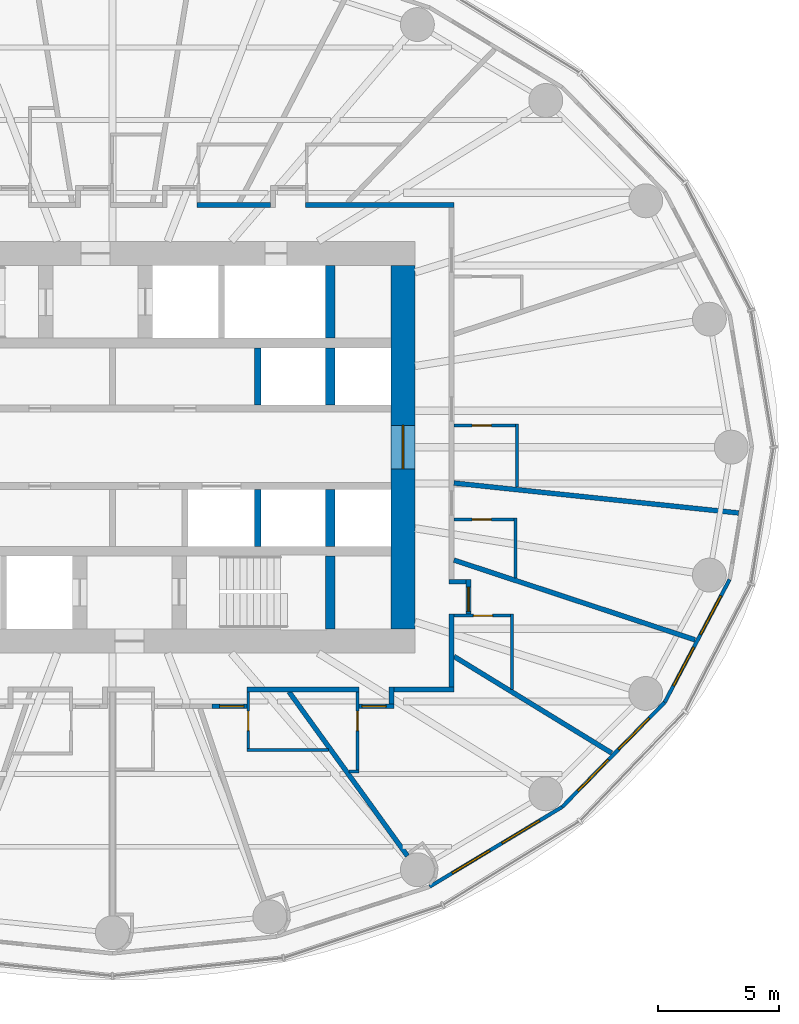
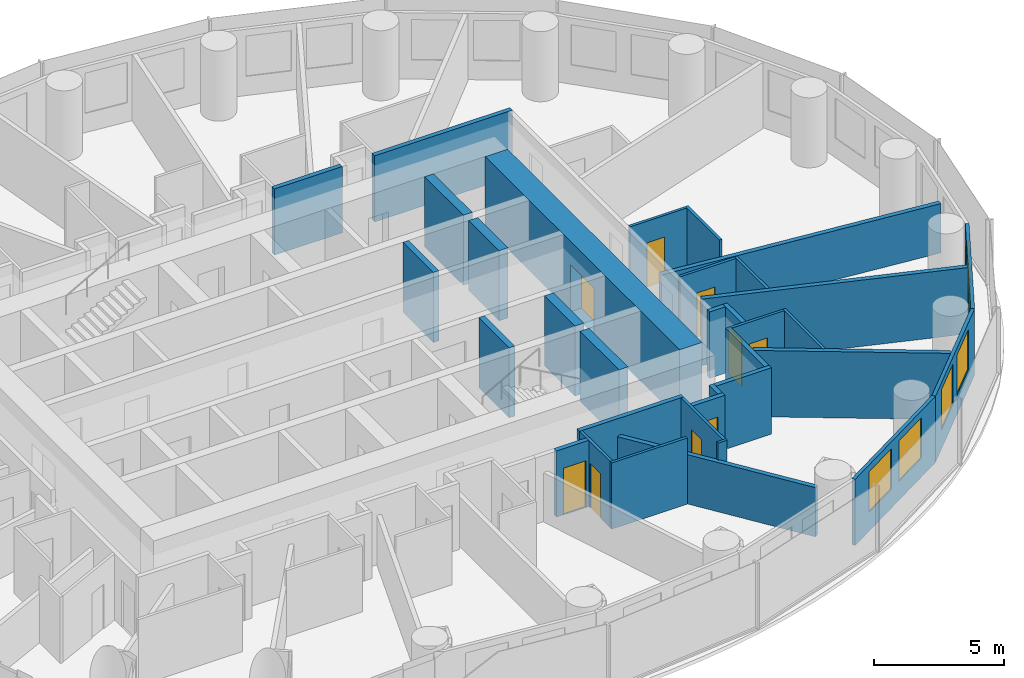
# One storey, part 10 of 14: 34 walls, 9 doors, 6 windows, 15 openings.
"""IFC4 building model written with IfcOpenShell, lengths in metres."""

from ifc_helpers import new_model, si_unit, direction, frame, frame_2d, origin, place, context, subcontext, project, spatial, rectangle, extrude, material, layer, layer_set, type_object, element, fill, save


model = new_model("IFC4")

# Units and contexts
model_context = context("Model", 3, precision=1e-05, world=origin(), true_north=direction((0.0, 1.0)))
body_context = subcontext(model_context, "Body", "Model", "MODEL_VIEW")
ifc_project = project(units=[si_unit("LENGTHUNIT", "METRE"), si_unit("AREAUNIT", "SQUARE_METRE"), si_unit("VOLUMEUNIT", "CUBIC_METRE"), si_unit("PLANEANGLEUNIT", "RADIAN"), si_unit("MASSUNIT", "GRAM", prefix="KILO")], contexts=[model_context])

# Site, building, storey
site_placement = place(None, origin())
site = spatial("IfcSite", under=ifc_project, at=site_placement, CompositionType="ELEMENT")
building_placement = place(site_placement, origin())
building = spatial("IfcBuilding", under=site, at=building_placement, Name="Hankou Lantern Tower", CompositionType="ELEMENT")
storey_placement = place(building_placement, frame((0.0, 0.0, 54.0)))
storey = spatial("IfcBuildingStorey", under=building, at=storey_placement, Name="L12", CompositionType="ELEMENT", Elevation=54.0)

# Wall, opening, door
ifc_material_1 = material(Name="Concrete C60", Category="concrete")
ifc_layer_1 = layer(ifc_material_1, 1.0)
ifc_layer_set_1 = layer_set([ifc_layer_1], Name="Concrete C60")
wall_type_1 = type_object("IfcWallType", Name="CW1 CORE WALL 1000", PredefinedType="SHEAR", material=ifc_layer_set_1)
wall_1_placement = place(storey_placement, frame((12.0, -7.5, 0.0), z_axis=(0.0, 0.0, 1.0), x_axis=(0.0, 1.0, 0.0)))
wall_1 = element("IfcWall", 1, at=wall_1_placement, inside=storey, type_object=wall_type_1, Name="Core wall east L12", PredefinedType="SHEAR", context=body_context, shape_type="SweptSolid", body=[
    extrude(rectangle(XDim=15.0, YDim=1.0, at=frame_2d((7.5, 0.0))), origin(), (0.0, 0.0, 1.0), 3.300048828125),
])
opening_1_placement = place(wall_1_placement, frame((6.60009765625, 0.0, 0.0)))
opening_1 = element("IfcOpeningElement", 2, at=opening_1_placement, cuts=wall_1, Name="Opening D6", PredefinedType="OPENING", context=body_context, shape_type="SweptSolid", body=[
    extrude(rectangle(XDim=1.800048828125, YDim=2.199951171875, at=frame_2d((0.89990234375, 1.10009765625))), frame((0.0, 0.510009765625, 0.0), z_axis=(0.0, -1.0, 0.0), x_axis=(1.0, 0.0, 0.0)), (0.0, 0.0, 1.0), 1.02001953125),
])
ifc_material_2 = material(Name="Steel door leaf", Category="steel")
door_type_1 = type_object("IfcDoorType", Name="D6 LIFT LOBBY DOOR 1800X2200", OperationType="DOUBLE_DOOR_DOUBLE_SWING", PredefinedType="DOOR", material=ifc_material_2)
door_1_placement = place(opening_1_placement, origin())
door_1 = element("IfcDoor", 3, at=door_1_placement, inside=storey, type_object=door_type_1, Name="Lift lobby east door", OperationType="DOUBLE_DOOR_DOUBLE_SWING", OverallHeight=2.199951171875, OverallWidth=1.800048828125, PredefinedType="DOOR", context=body_context, shape_type="SweptSolid", body=[
    extrude(rectangle(XDim=1.800048828125, YDim=2.199951171875, at=frame_2d((0.89990234375, 1.10009765625))), frame((0.0, 0.02490234375, 0.0), z_axis=(0.0, -1.0, 0.0), x_axis=(1.0, 0.0, 0.0)), (0.0, 0.0, 1.0), 0.050048828125),
])
fill(opening_1, door_1)

# Walls
ifc_material_3 = material(Name="Concrete C60", Category="concrete")
ifc_layer_2 = layer(ifc_material_3, 0.39990234375)
ifc_layer_set_2 = layer_set([ifc_layer_2], Name="Concrete C60")
wall_type_2 = type_object("IfcWallType", Name="CW4 CORE CROSS WALL 400", PredefinedType="SHEAR", material=ifc_layer_set_2)
wall_2_placement = place(storey_placement, frame((9.0, 4.5, 0.0), z_axis=(0.0, 0.0, 1.0), x_axis=(0.0, 1.0, 0.0)))
element("IfcWall", 4, at=wall_2_placement, inside=storey, type_object=wall_type_2, Name="Core strip wall L12", PredefinedType="SHEAR", context=body_context, shape_type="SweptSolid", body=[
    extrude(rectangle(XDim=3.0, YDim=0.39990234375, at=frame_2d((1.5, 0.0))), origin(), (0.0, 0.0, 1.0), 3.300048828125),
])
for number, where, z_axis, x_axis, name in (
    (5, (9.0, 1.75, 0.0), (0.0, 0.0, 1.0), (0.0, 1.0, 0.0), "Core strip wall L12"),
    (6, (9.0, -4.10009765625, 0.0), (0.0, 0.0, 1.0), (0.0, 1.0, 0.0), "Core strip wall L12"),
):
    element("IfcWall", number, at=place(storey_placement, frame(where, z_axis=z_axis, x_axis=x_axis)), inside=storey, type_object=wall_type_2, Name=name, PredefinedType="SHEAR", context=body_context, shape_type="SweptSolid", body=[
        extrude(rectangle(XDim=2.35009765625, YDim=0.39990234375, at=frame_2d((1.175048828125, 0.0))), origin(), (0.0, 0.0, 1.0), 3.300048828125),
    ])
wall_3_placement = place(storey_placement, frame((9.0, -7.5, 0.0), z_axis=(0.0, 0.0, 1.0), x_axis=(0.0, 1.0, 0.0)))
element("IfcWall", 7, at=wall_3_placement, inside=storey, type_object=wall_type_2, Name="Core strip wall L12", PredefinedType="SHEAR", context=body_context, shape_type="SweptSolid", body=[
    extrude(rectangle(XDim=3.0, YDim=0.39990234375, at=frame_2d((1.5, 0.0))), origin(), (0.0, 0.0, 1.0), 3.300048828125),
])

# Wall, openings, windows
ifc_material_4 = material(Name="Aluminium spandrel panel on steel studs", Category="steel")
ifc_layer_3 = layer(ifc_material_4, 0.14990234375)
ifc_layer_set_3 = layer_set([ifc_layer_3], Name="Aluminium spandrel panel on steel studs")
wall_type_3 = type_object("IfcWallType", Name="EW1 INNER SKIN WALL 150", PredefinedType="ELEMENTEDWALL", material=ifc_layer_set_3)
wall_4_placement = place(storey_placement, frame((13.096435546875, -18.14697265625, 0.0), z_axis=(0.0, 0.0, 1.0), x_axis=(0.856983180864, 0.515344377787, 0.0)))
wall_4 = element("IfcWall", 8, at=wall_4_placement, inside=storey, type_object=wall_type_3, Name="Inner skin R21-R22 L12", PredefinedType="ELEMENTEDWALL", context=body_context, shape_type="SweptSolid", body=[
    extrude(rectangle(XDim=6.386474609375, YDim=0.14990234375, at=frame_2d((3.193359375, 0.0))), origin(), (0.0, 0.0, 1.0), 3.1201171875),
])
opening_2_placement = place(wall_4_placement, frame((1.09326171875, 0.0, 0.89990234375)))
opening_2 = element("IfcOpeningElement", 9, at=opening_2_placement, cuts=wall_4, Name="Opening W1", PredefinedType="OPENING", context=body_context, shape_type="SweptSolid", body=[
    extrude(rectangle(XDim=1.800048828125, YDim=1.89990234375, at=frame_2d((0.89990234375, 0.949951171875))), frame((0.0, 0.0849609375, 0.0), z_axis=(0.0, -1.0, 0.0), x_axis=(1.0, 0.0, 0.0)), (0.0, 0.0, 1.0), 0.169921875),
])
opening_3_placement = place(wall_4_placement, frame((3.4931640625, 0.0, 0.89990234375)))
opening_3 = element("IfcOpeningElement", 10, at=opening_3_placement, cuts=wall_4, Name="Opening W1", PredefinedType="OPENING", context=body_context, shape_type="SweptSolid", body=[
    extrude(rectangle(XDim=1.800048828125, YDim=1.89990234375, at=frame_2d((0.89990234375, 0.949951171875))), frame((0.0, 0.0849609375, 0.0), z_axis=(0.0, -1.0, 0.0), x_axis=(1.0, 0.0, 0.0)), (0.0, 0.0, 1.0), 0.169921875),
])
ifc_material_5 = material(Name="Aluminium framed double glazed window", Category="aluminium")
window_type = type_object("IfcWindowType", Name="W1 GUEST ROOM WINDOW 1800X1900", PartitioningType="DOUBLE_PANEL_VERTICAL", PredefinedType="WINDOW", material=ifc_material_5)
window_1_placement = place(opening_2_placement, origin())
window_1 = element("IfcWindow", 11, at=window_1_placement, inside=storey, type_object=window_type, Name="Window R21.1 L12", OverallHeight=1.89990234375, OverallWidth=1.800048828125, PartitioningType="SINGLE_PANEL", PredefinedType="WINDOW", context=body_context, shape_type="SweptSolid", body=[
    extrude(rectangle(XDim=1.800048828125, YDim=1.89990234375, at=frame_2d((0.89990234375, 0.949951171875))), frame((0.0, 0.030029296875, 0.0), z_axis=(0.0, -1.0, 0.0), x_axis=(1.0, 0.0, 0.0)), (0.0, 0.0, 1.0), 0.06005859375),
])
fill(opening_2, window_1)
window_2_placement = place(opening_3_placement, origin())
window_2 = element("IfcWindow", 12, at=window_2_placement, inside=storey, type_object=window_type, Name="Window R21.2 L12", OverallHeight=1.89990234375, OverallWidth=1.800048828125, PartitioningType="SINGLE_PANEL", PredefinedType="WINDOW", context=body_context, shape_type="SweptSolid", body=[
    extrude(rectangle(XDim=1.800048828125, YDim=1.89990234375, at=frame_2d((0.89990234375, 0.949951171875))), frame((0.0, 0.030029296875, 0.0), z_axis=(0.0, -1.0, 0.0), x_axis=(1.0, 0.0, 0.0)), (0.0, 0.0, 1.0), 0.06005859375),
])
fill(opening_3, window_2)

wall_5_placement = place(storey_placement, frame((18.569580078125, -14.855712890625, 0.0), z_axis=(0.0, 0.0, 1.0), x_axis=(0.699602905915, 0.714531856557, 0.0)))
wall_5 = element("IfcWall", 13, at=wall_5_placement, inside=storey, type_object=wall_type_3, Name="Inner skin R22-R23 L12", PredefinedType="ELEMENTEDWALL", context=body_context, shape_type="SweptSolid", body=[
    extrude(rectangle(XDim=6.05078125, YDim=0.14990234375, at=frame_2d((3.025390625, 0.0))), origin(), (0.0, 0.0, 1.0), 3.1201171875),
])
opening_4_placement = place(wall_5_placement, frame((0.925537109375, 0.0, 0.89990234375)))
opening_4 = element("IfcOpeningElement", 14, at=opening_4_placement, cuts=wall_5, Name="Opening W1", PredefinedType="OPENING", context=body_context, shape_type="SweptSolid", body=[
    extrude(rectangle(XDim=1.800048828125, YDim=1.89990234375, at=frame_2d((0.89990234375, 0.949951171875))), frame((0.0, 0.0849609375, 0.0), z_axis=(0.0, -1.0, 0.0), x_axis=(1.0, 0.0, 0.0)), (0.0, 0.0, 1.0), 0.169921875),
])
opening_5_placement = place(wall_5_placement, frame((3.325439453125, 0.0, 0.89990234375)))
opening_5 = element("IfcOpeningElement", 15, at=opening_5_placement, cuts=wall_5, Name="Opening W1", PredefinedType="OPENING", context=body_context, shape_type="SweptSolid", body=[
    extrude(rectangle(XDim=1.800048828125, YDim=1.89990234375, at=frame_2d((0.89990234375, 0.949951171875))), frame((0.0, 0.0849609375, 0.0), z_axis=(0.0, -1.0, 0.0), x_axis=(1.0, 0.0, 0.0)), (0.0, 0.0, 1.0), 0.169921875),
])
window_3_placement = place(opening_4_placement, origin())
window_3 = element("IfcWindow", 16, at=window_3_placement, inside=storey, type_object=window_type, Name="Window R22.1 L12", OverallHeight=1.89990234375, OverallWidth=1.800048828125, PartitioningType="SINGLE_PANEL", PredefinedType="WINDOW", context=body_context, shape_type="SweptSolid", body=[
    extrude(rectangle(XDim=1.800048828125, YDim=1.89990234375, at=frame_2d((0.89990234375, 0.949951171875))), frame((0.0, 0.030029296875, 0.0), z_axis=(0.0, -1.0, 0.0), x_axis=(1.0, 0.0, 0.0)), (0.0, 0.0, 1.0), 0.06005859375),
])
fill(opening_4, window_3)
window_4_placement = place(opening_5_placement, origin())
window_4 = element("IfcWindow", 17, at=window_4_placement, inside=storey, type_object=window_type, Name="Window R22.2 L12", OverallHeight=1.89990234375, OverallWidth=1.800048828125, PartitioningType="SINGLE_PANEL", PredefinedType="WINDOW", context=body_context, shape_type="SweptSolid", body=[
    extrude(rectangle(XDim=1.800048828125, YDim=1.89990234375, at=frame_2d((0.89990234375, 0.949951171875))), frame((0.0, 0.030029296875, 0.0), z_axis=(0.0, -1.0, 0.0), x_axis=(1.0, 0.0, 0.0)), (0.0, 0.0, 1.0), 0.06005859375),
])
fill(opening_5, window_4)

wall_6_placement = place(storey_placement, frame((22.802734375, -10.5322265625, 0.0), z_axis=(0.0, 0.0, 1.0), x_axis=(0.467296867008, 0.884100468321, 0.0)))
wall_6 = element("IfcWall", 18, at=wall_6_placement, inside=storey, type_object=wall_type_3, Name="Inner skin R23-R24 L12", PredefinedType="ELEMENTEDWALL", context=body_context, shape_type="SweptSolid", body=[
    extrude(rectangle(XDim=5.734375, YDim=0.14990234375, at=frame_2d((2.8671875, 0.0))), origin(), (0.0, 0.0, 1.0), 3.1201171875),
])
opening_6_placement = place(wall_6_placement, frame((0.76708984375, 0.0, 0.89990234375)))
opening_6 = element("IfcOpeningElement", 19, at=opening_6_placement, cuts=wall_6, Name="Opening W1", PredefinedType="OPENING", context=body_context, shape_type="SweptSolid", body=[
    extrude(rectangle(XDim=1.800048828125, YDim=1.89990234375, at=frame_2d((0.89990234375, 0.949951171875))), frame((0.0, 0.0849609375, 0.0), z_axis=(0.0, -1.0, 0.0), x_axis=(1.0, 0.0, 0.0)), (0.0, 0.0, 1.0), 0.169921875),
])
opening_7_placement = place(wall_6_placement, frame((3.167236328125, 0.0, 0.89990234375)))
opening_7 = element("IfcOpeningElement", 20, at=opening_7_placement, cuts=wall_6, Name="Opening W1", PredefinedType="OPENING", context=body_context, shape_type="SweptSolid", body=[
    extrude(rectangle(XDim=1.800048828125, YDim=1.89990234375, at=frame_2d((0.89990234375, 0.949951171875))), frame((0.0, 0.0849609375, 0.0), z_axis=(0.0, -1.0, 0.0), x_axis=(1.0, 0.0, 0.0)), (0.0, 0.0, 1.0), 0.169921875),
])
window_5_placement = place(opening_6_placement, origin())
window_5 = element("IfcWindow", 21, at=window_5_placement, inside=storey, type_object=window_type, Name="Window R23.1 L12", OverallHeight=1.89990234375, OverallWidth=1.800048828125, PartitioningType="SINGLE_PANEL", PredefinedType="WINDOW", context=body_context, shape_type="SweptSolid", body=[
    extrude(rectangle(XDim=1.800048828125, YDim=1.89990234375, at=frame_2d((0.89990234375, 0.949951171875))), frame((0.0, 0.030029296875, 0.0), z_axis=(0.0, -1.0, 0.0), x_axis=(1.0, 0.0, 0.0)), (0.0, 0.0, 1.0), 0.06005859375),
])
fill(opening_6, window_5)
window_6_placement = place(opening_7_placement, origin())
window_6 = element("IfcWindow", 22, at=window_6_placement, inside=storey, type_object=window_type, Name="Window R23.2 L12", OverallHeight=1.89990234375, OverallWidth=1.800048828125, PartitioningType="SINGLE_PANEL", PredefinedType="WINDOW", context=body_context, shape_type="SweptSolid", body=[
    extrude(rectangle(XDim=1.800048828125, YDim=1.89990234375, at=frame_2d((0.89990234375, 0.949951171875))), frame((0.0, 0.030029296875, 0.0), z_axis=(0.0, -1.0, 0.0), x_axis=(1.0, 0.0, 0.0)), (0.0, 0.0, 1.0), 0.06005859375),
])
fill(opening_7, window_6)

# Walls
ifc_material_6 = material(Name="Masonry lightweight concrete block", Category="masonry")
ifc_layer_4 = layer(ifc_material_6, 0.199951171875)
ifc_layer_set_4 = layer_set([ifc_layer_4], Name="Masonry lightweight concrete block")
wall_type_4 = type_object("IfcWallType", Name="IW1 GUEST ROOM PARTY WALL 200", PredefinedType="PARTITIONING", material=ifc_layer_set_4)
wall_7_placement = place(storey_placement, frame((7.2890625, -10.10009765625, 0.0), z_axis=(0.0, 0.0, 1.0), x_axis=(0.585198353053, -0.810890182197, 0.0)))
element("IfcWall", 23, at=wall_7_placement, inside=storey, type_object=wall_type_4, Name="Party wall R21", PredefinedType="PARTITIONING", context=body_context, shape_type="SweptSolid", body=[
    extrude(rectangle(XDim=8.359619140625, YDim=0.199951171875, at=frame_2d((4.1796875, 0.0))), origin(), (0.0, 0.0, 1.0), 2.320068359375),
])
wall_8_placement = place(storey_placement, frame((14.10009765625, -8.638916015625, 0.0), z_axis=(0.0, 0.0, 1.0), x_axis=(0.852672493023, -0.522445805459, 0.0)))
element("IfcWall", 24, at=wall_8_placement, inside=storey, type_object=wall_type_4, Name="Party wall R22-R23", PredefinedType="PARTITIONING", context=body_context, shape_type="SweptSolid", body=[
    extrude(rectangle(XDim=7.63330078125, YDim=0.199951171875, at=frame_2d((3.816650390625, 0.0))), origin(), (0.0, 0.0, 1.0), 3.1201171875),
])
wall_9_placement = place(storey_placement, frame((14.10009765625, -4.6630859375, 0.0), z_axis=(0.0, 0.0, 1.0), x_axis=(0.949432655039, -0.31397075269, 0.0)))
element("IfcWall", 25, at=wall_9_placement, inside=storey, type_object=wall_type_4, Name="Party wall R23-R24", PredefinedType="PARTITIONING", context=body_context, shape_type="SweptSolid", body=[
    extrude(rectangle(XDim=10.48583984375, YDim=0.199951171875, at=frame_2d((5.242919921875, 0.0))), origin(), (0.0, 0.0, 1.0), 3.1201171875),
])
wall_10_placement = place(storey_placement, frame((14.10009765625, -1.48193359375, 0.0), z_axis=(0.0, 0.0, 1.0), x_axis=(0.994522076235, -0.104526742422, 0.0)))
element("IfcWall", 26, at=wall_10_placement, inside=storey, type_object=wall_type_4, Name="Party wall R24-R01", PredefinedType="PARTITIONING", context=body_context, shape_type="SweptSolid", body=[
    extrude(rectangle(XDim=11.82080078125, YDim=0.199951171875, at=frame_2d((5.910400390625, 0.0))), origin(), (0.0, 0.0, 1.0), 2.320068359375),
])

# Wall, opening, door
ifc_material_7 = material(Name="Masonry lightweight concrete block", Category="masonry")
ifc_layer_5 = layer(ifc_material_7, 0.199951171875)
ifc_layer_set_5 = layer_set([ifc_layer_5], Name="Masonry lightweight concrete block")
wall_type_5 = type_object("IfcWallType", Name="IW2 CORRIDOR WALL 200", PredefinedType="PARTITIONING", material=ifc_layer_set_5)
wall_11_placement = place(storey_placement, frame((5.549072265625, -10.699951171875, 0.0), z_axis=(0.0, 0.0, 1.0), x_axis=(-1.0, 0.0, 0.0)))
wall_11 = element("IfcWall", 27, at=wall_11_placement, inside=storey, type_object=wall_type_5, Name="Corridor recess wall 1216 back", PredefinedType="PARTITIONING", context=body_context, shape_type="SweptSolid", body=[
    extrude(rectangle(XDim=1.43994140625, YDim=0.199951171875, at=frame_2d((0.719970703125, 0.0))), origin(), (0.0, 0.0, 1.0), 3.1201171875),
])
opening_8_placement = place(wall_11_placement, frame((0.1201171875, 0.0, 0.0)))
opening_8 = element("IfcOpeningElement", 28, at=opening_8_placement, cuts=wall_11, Name="Opening D1", PredefinedType="OPENING", context=body_context, shape_type="SweptSolid", body=[
    extrude(rectangle(XDim=1.0, YDim=2.199951171875, at=frame_2d((0.5, 1.10009765625))), frame((0.0, 0.10986328125, 0.0), z_axis=(0.0, -1.0, 0.0), x_axis=(1.0, 0.0, 0.0)), (0.0, 0.0, 1.0), 0.219970703125),
])
ifc_material_8 = material(Name="Steel door leaf", Category="steel")
door_type_2 = type_object("IfcDoorType", Name="D1 GUEST ROOM DOOR 1000X2200", OperationType="SINGLE_SWING_LEFT", PredefinedType="DOOR", material=ifc_material_8)
door_2_placement = place(opening_8_placement, origin())
door_2 = element("IfcDoor", 29, at=door_2_placement, inside=storey, type_object=door_type_2, Name="Guest room door 1216", OperationType="SINGLE_SWING_LEFT", OverallHeight=2.199951171875, OverallWidth=1.0, PredefinedType="DOOR", context=body_context, shape_type="SweptSolid", body=[
    extrude(rectangle(XDim=1.0, YDim=2.199951171875, at=frame_2d((0.5, 1.10009765625))), frame((0.0, 0.02490234375, 0.0), z_axis=(0.0, -1.0, 0.0), x_axis=(1.0, 0.0, 0.0)), (0.0, 0.0, 1.0), 0.050048828125),
])
fill(opening_8, door_2)

wall_12_placement = place(storey_placement, frame((11.619140625, -10.699951171875, 0.0), z_axis=(0.0, 0.0, 1.0), x_axis=(-1.0, 0.0, 0.0)))
wall_12 = element("IfcWall", 30, at=wall_12_placement, inside=storey, type_object=wall_type_5, Name="Corridor recess wall 1217 back", PredefinedType="PARTITIONING", context=body_context, shape_type="SweptSolid", body=[
    extrude(rectangle(XDim=1.440185546875, YDim=0.199951171875, at=frame_2d((0.72021484375, 0.0))), origin(), (0.0, 0.0, 1.0), 3.1201171875),
])
opening_9_placement = place(wall_12_placement, frame((0.320068359375, 0.0, 0.0)))
opening_9 = element("IfcOpeningElement", 31, at=opening_9_placement, cuts=wall_12, Name="Opening D1", PredefinedType="OPENING", context=body_context, shape_type="SweptSolid", body=[
    extrude(rectangle(XDim=1.0, YDim=2.199951171875, at=frame_2d((0.5, 1.10009765625))), frame((0.0, 0.10986328125, 0.0), z_axis=(0.0, -1.0, 0.0), x_axis=(1.0, 0.0, 0.0)), (0.0, 0.0, 1.0), 0.219970703125),
])
door_3_placement = place(opening_9_placement, origin())
door_3 = element("IfcDoor", 32, at=door_3_placement, inside=storey, type_object=door_type_2, Name="Guest room door 1217", OperationType="SINGLE_SWING_RIGHT", OverallHeight=2.199951171875, OverallWidth=1.0, PredefinedType="DOOR", context=body_context, shape_type="SweptSolid", body=[
    extrude(rectangle(XDim=1.0, YDim=2.199951171875, at=frame_2d((0.5, 1.10009765625))), frame((0.0, 0.02490234375, 0.0), z_axis=(0.0, -1.0, 0.0), x_axis=(1.0, 0.0, 0.0)), (0.0, 0.0, 1.0), 0.050048828125),
])
fill(opening_9, door_3)

# Wall
wall_13_placement = place(storey_placement, frame((11.51904296875, -9.89990234375, 0.0), z_axis=(0.0, 0.0, 1.0), x_axis=(0.0, -1.0, 0.0)))
element("IfcWall", 33, at=wall_13_placement, inside=storey, type_object=wall_type_5, Name="Corridor recess wall 1217 side", PredefinedType="PARTITIONING", context=body_context, shape_type="SweptSolid", body=[
    extrude(rectangle(XDim=0.7001953125, YDim=0.199951171875, at=frame_2d((0.35009765625, 0.0))), origin(), (0.0, 0.0, 1.0), 3.1201171875),
])

# Wall, opening, door
wall_14_placement = place(storey_placement, frame((14.699951171875, -6.89892578125, 0.0), z_axis=(0.0, 0.0, 1.0), x_axis=(0.0, 1.0, 0.0)))
wall_14 = element("IfcWall", 34, at=wall_14_placement, inside=storey, type_object=wall_type_5, Name="Corridor recess wall 1218 back", PredefinedType="PARTITIONING", context=body_context, shape_type="SweptSolid", body=[
    extrude(rectangle(XDim=1.43994140625, YDim=0.199951171875, at=frame_2d((0.719970703125, 0.0))), origin(), (0.0, 0.0, 1.0), 3.1201171875),
])
opening_10_placement = place(wall_14_placement, frame((0.1201171875, 0.0, 0.0)))
opening_10 = element("IfcOpeningElement", 35, at=opening_10_placement, cuts=wall_14, Name="Opening D1", PredefinedType="OPENING", context=body_context, shape_type="SweptSolid", body=[
    extrude(rectangle(XDim=1.0, YDim=2.199951171875, at=frame_2d((0.5, 1.10009765625))), frame((0.0, 0.10986328125, 0.0), z_axis=(0.0, -1.0, 0.0), x_axis=(1.0, 0.0, 0.0)), (0.0, 0.0, 1.0), 0.219970703125),
])
door_4_placement = place(opening_10_placement, origin())
door_4 = element("IfcDoor", 36, at=door_4_placement, inside=storey, type_object=door_type_2, Name="Guest room door 1218", OperationType="SINGLE_SWING_LEFT", OverallHeight=2.199951171875, OverallWidth=1.0, PredefinedType="DOOR", context=body_context, shape_type="SweptSolid", body=[
    extrude(rectangle(XDim=1.0, YDim=2.199951171875, at=frame_2d((0.5, 1.10009765625))), frame((0.0, 0.02490234375, 0.0), z_axis=(0.0, -1.0, 0.0), x_axis=(1.0, 0.0, 0.0)), (0.0, 0.0, 1.0), 0.050048828125),
])
fill(opening_10, door_4)

# Walls
wall_15_placement = place(storey_placement, frame((13.89990234375, -5.55908203125, 0.0), z_axis=(0.0, 0.0, 1.0), x_axis=(1.0, 0.0, 0.0)))
element("IfcWall", 37, at=wall_15_placement, inside=storey, type_object=wall_type_5, Name="Corridor recess wall 1218 side", PredefinedType="PARTITIONING", context=body_context, shape_type="SweptSolid", body=[
    extrude(rectangle(XDim=0.7001953125, YDim=0.199951171875, at=frame_2d((0.35009765625, 0.0))), origin(), (0.0, 0.0, 1.0), 3.1201171875),
])
wall_16_placement = place(storey_placement, frame((3.49853515625, 10.0, 0.0), z_axis=(0.0, 0.0, 1.0), x_axis=(1.0, 0.0, 0.0)))
element("IfcWall", 38, at=wall_16_placement, inside=storey, type_object=wall_type_5, Name="Corridor wall north", PredefinedType="PARTITIONING", context=body_context, shape_type="SweptSolid", body=[
    extrude(rectangle(XDim=3.026611328125, YDim=0.199951171875, at=frame_2d((1.51318359375, 0.0))), origin(), (0.0, 0.0, 1.0), 3.1201171875),
])
wall_17_placement = place(storey_placement, frame((7.965087890625, 10.0, 0.0), z_axis=(0.0, 0.0, 1.0), x_axis=(1.0, 0.0, 0.0)))
element("IfcWall", 39, at=wall_17_placement, inside=storey, type_object=wall_type_5, Name="Corridor wall north", PredefinedType="PARTITIONING", context=body_context, shape_type="SweptSolid", body=[
    extrude(rectangle(XDim=6.135009765625, YDim=0.199951171875, at=frame_2d((3.0673828125, 0.0))), origin(), (0.0, 0.0, 1.0), 3.1201171875),
])
wall_18_placement = place(storey_placement, frame((14.10009765625, -10.0, 0.0), z_axis=(0.0, 0.0, 1.0), x_axis=(-1.0, 0.0, 0.0)))
element("IfcWall", 40, at=wall_18_placement, inside=storey, type_object=wall_type_5, Name="Corridor wall south", PredefinedType="PARTITIONING", context=body_context, shape_type="SweptSolid", body=[
    extrude(rectangle(XDim=2.48095703125, YDim=0.199951171875, at=frame_2d((1.240478515625, 0.0))), origin(), (0.0, 0.0, 1.0), 3.1201171875),
])
wall_19_placement = place(storey_placement, frame((10.178955078125, -10.0, 0.0), z_axis=(0.0, 0.0, 1.0), x_axis=(-1.0, 0.0, 0.0)))
element("IfcWall", 41, at=wall_19_placement, inside=storey, type_object=wall_type_5, Name="Corridor wall south", PredefinedType="PARTITIONING", context=body_context, shape_type="SweptSolid", body=[
    extrude(rectangle(XDim=4.6298828125, YDim=0.199951171875, at=frame_2d((2.31494140625, 0.0))), origin(), (0.0, 0.0, 1.0), 3.1201171875),
])
wall_20_placement = place(storey_placement, frame((14.0, -9.89990234375, 0.0), z_axis=(0.0, 0.0, 1.0), x_axis=(0.0, 1.0, 0.0)))
element("IfcWall", 42, at=wall_20_placement, inside=storey, type_object=wall_type_5, Name="Corridor wall east", PredefinedType="PARTITIONING", context=body_context, shape_type="SweptSolid", body=[
    extrude(rectangle(XDim=3.0009765625, YDim=0.199951171875, at=frame_2d((1.50048828125, 0.0))), origin(), (0.0, 0.0, 1.0), 3.1201171875),
])
ifc_material_9 = material(Name="Masonry lightweight concrete block", Category="masonry")
ifc_layer_6 = layer(ifc_material_9, 0.1201171875)
ifc_layer_set_6 = layer_set([ifc_layer_6], Name="Masonry lightweight concrete block")
wall_type_6 = type_object("IfcWallType", Name="IW3 BATHROOM WALL 120", PredefinedType="PARTITIONING", material=ifc_layer_set_6)
wall_21_placement = place(storey_placement, frame((8.921142578125, -12.5, 0.0), z_axis=(0.0, 0.0, 1.0), x_axis=(-1.0, 0.0, 0.0)))
element("IfcWall", 43, at=wall_21_placement, inside=storey, type_object=wall_type_6, Name="Box wall 1216 1", PredefinedType="PARTITIONING", context=body_context, shape_type="SweptSolid", body=[
    extrude(rectangle(XDim=3.3720703125, YDim=0.1201171875, at=frame_2d((1.68603515625, 0.0))), origin(), (0.0, 0.0, 1.0), 3.1201171875),
])

# Wall, opening, door
wall_22_placement = place(storey_placement, frame((5.609130859375, -10.10009765625, 0.0), z_axis=(0.0, 0.0, 1.0), x_axis=(0.0, -1.0, 0.0)))
wall_22 = element("IfcWall", 44, at=wall_22_placement, inside=storey, type_object=wall_type_6, Name="Box wall 1216 1", PredefinedType="PARTITIONING", context=body_context, shape_type="SweptSolid", body=[
    extrude(rectangle(XDim=2.33984375, YDim=0.1201171875, at=frame_2d((1.169921875, 0.0))), origin(), (0.0, 0.0, 1.0), 3.1201171875),
])
opening_11_placement = place(wall_22_placement, frame((0.800048828125, 0.0, 0.0)))
opening_11 = element("IfcOpeningElement", 45, at=opening_11_placement, cuts=wall_22, Name="Opening D3", PredefinedType="OPENING", context=body_context, shape_type="SweptSolid", body=[
    extrude(rectangle(XDim=0.800048828125, YDim=2.10009765625, at=frame_2d((0.39990234375, 1.050048828125))), frame((0.0, 0.070068359375, 0.0), z_axis=(0.0, -1.0, 0.0), x_axis=(1.0, 0.0, 0.0)), (0.0, 0.0, 1.0), 0.14013671875),
])
ifc_material_10 = material(Name="Timber door leaf", Category="wood")
door_type_3 = type_object("IfcDoorType", Name="D3 BATHROOM DOOR 800X2100", OperationType="SINGLE_SWING_LEFT", PredefinedType="DOOR", material=ifc_material_10)
door_5_placement = place(opening_11_placement, origin())
door_5 = element("IfcDoor", 46, at=door_5_placement, inside=storey, type_object=door_type_3, Name="En-suite bathroom 1216 door", OperationType="SINGLE_SWING_RIGHT", OverallHeight=2.10009765625, OverallWidth=0.800048828125, PredefinedType="DOOR", context=body_context, shape_type="SweptSolid", body=[
    extrude(rectangle(XDim=0.800048828125, YDim=2.10009765625, at=frame_2d((0.39990234375, 1.050048828125))), frame((0.0, 0.02490234375, 0.0), z_axis=(0.0, -1.0, 0.0), x_axis=(1.0, 0.0, 0.0)), (0.0, 0.0, 1.0), 0.050048828125),
])
fill(opening_11, door_5)

# Wall
wall_23_placement = place(storey_placement, frame((9.7705078125, -13.39990234375, 0.0), z_axis=(0.0, 0.0, 1.0), x_axis=(1.0, 0.0, 0.0)))
element("IfcWall", 47, at=wall_23_placement, inside=storey, type_object=wall_type_6, Name="Box wall 1217 1", PredefinedType="PARTITIONING", context=body_context, shape_type="SweptSolid", body=[
    extrude(rectangle(XDim=0.408447265625, YDim=0.1201171875, at=frame_2d((0.2041015625, 0.0))), origin(), (0.0, 0.0, 1.0), 3.1201171875),
])

# Wall, opening, door
wall_24_placement = place(storey_placement, frame((10.119140625, -10.10009765625, 0.0), z_axis=(0.0, 0.0, 1.0), x_axis=(0.0, -1.0, 0.0)))
wall_24 = element("IfcWall", 48, at=wall_24_placement, inside=storey, type_object=wall_type_6, Name="Box wall 1217 1", PredefinedType="PARTITIONING", context=body_context, shape_type="SweptSolid", body=[
    extrude(rectangle(XDim=3.239990234375, YDim=0.1201171875, at=frame_2d((1.6201171875, 0.0))), origin(), (0.0, 0.0, 1.0), 3.1201171875),
])
opening_12_placement = place(wall_24_placement, frame((0.800048828125, 0.0, 0.0)))
opening_12 = element("IfcOpeningElement", 49, at=opening_12_placement, cuts=wall_24, Name="Opening D3", PredefinedType="OPENING", context=body_context, shape_type="SweptSolid", body=[
    extrude(rectangle(XDim=0.800048828125, YDim=2.10009765625, at=frame_2d((0.39990234375, 1.050048828125))), frame((0.0, 0.070068359375, 0.0), z_axis=(0.0, -1.0, 0.0), x_axis=(1.0, 0.0, 0.0)), (0.0, 0.0, 1.0), 0.14013671875),
])
door_6_placement = place(opening_12_placement, origin())
door_6 = element("IfcDoor", 50, at=door_6_placement, inside=storey, type_object=door_type_3, Name="En-suite bathroom 1217 door", OperationType="SINGLE_SWING_LEFT", OverallHeight=2.10009765625, OverallWidth=0.800048828125, PredefinedType="DOOR", context=body_context, shape_type="SweptSolid", body=[
    extrude(rectangle(XDim=0.800048828125, YDim=2.10009765625, at=frame_2d((0.39990234375, 1.050048828125))), frame((0.0, 0.02490234375, 0.0), z_axis=(0.0, -1.0, 0.0), x_axis=(1.0, 0.0, 0.0)), (0.0, 0.0, 1.0), 0.050048828125),
])
fill(opening_12, door_6)

# Wall
wall_25_placement = place(storey_placement, frame((16.5, -10.009521484375, 0.0), z_axis=(0.0, 0.0, 1.0), x_axis=(0.0, 1.0, 0.0)))
element("IfcWall", 51, at=wall_25_placement, inside=storey, type_object=wall_type_6, Name="Box wall 1218 1", PredefinedType="PARTITIONING", context=body_context, shape_type="SweptSolid", body=[
    extrude(rectangle(XDim=3.110595703125, YDim=0.1201171875, at=frame_2d((1.55517578125, 0.0))), origin(), (0.0, 0.0, 1.0), 3.1201171875),
])

# Wall, opening, door
wall_26_placement = place(storey_placement, frame((14.10009765625, -6.958984375, 0.0), z_axis=(0.0, 0.0, 1.0), x_axis=(1.0, 0.0, 0.0)))
wall_26 = element("IfcWall", 52, at=wall_26_placement, inside=storey, type_object=wall_type_6, Name="Box wall 1218 1", PredefinedType="PARTITIONING", context=body_context, shape_type="SweptSolid", body=[
    extrude(rectangle(XDim=2.33984375, YDim=0.1201171875, at=frame_2d((1.169921875, 0.0))), origin(), (0.0, 0.0, 1.0), 3.1201171875),
])
opening_13_placement = place(wall_26_placement, frame((0.800048828125, 0.0, 0.0)))
opening_13 = element("IfcOpeningElement", 53, at=opening_13_placement, cuts=wall_26, Name="Opening D3", PredefinedType="OPENING", context=body_context, shape_type="SweptSolid", body=[
    extrude(rectangle(XDim=0.800048828125, YDim=2.10009765625, at=frame_2d((0.39990234375, 1.050048828125))), frame((0.0, 0.070068359375, 0.0), z_axis=(0.0, -1.0, 0.0), x_axis=(1.0, 0.0, 0.0)), (0.0, 0.0, 1.0), 0.14013671875),
])
door_7_placement = place(opening_13_placement, origin())
door_7 = element("IfcDoor", 54, at=door_7_placement, inside=storey, type_object=door_type_3, Name="En-suite bathroom 1218 door", OperationType="SINGLE_SWING_LEFT", OverallHeight=2.10009765625, OverallWidth=0.800048828125, PredefinedType="DOOR", context=body_context, shape_type="SweptSolid", body=[
    extrude(rectangle(XDim=0.800048828125, YDim=2.10009765625, at=frame_2d((0.39990234375, 1.050048828125))), frame((0.0, 0.02490234375, 0.0), z_axis=(0.0, -1.0, 0.0), x_axis=(1.0, 0.0, 0.0)), (0.0, 0.0, 1.0), 0.050048828125),
])
fill(opening_13, door_7)

# Wall
wall_27_placement = place(storey_placement, frame((16.64990234375, -5.40625, 0.0), z_axis=(0.0, 0.0, 1.0), x_axis=(0.0, 1.0, 0.0)))
element("IfcWall", 55, at=wall_27_placement, inside=storey, type_object=wall_type_6, Name="Box wall 1219 1", PredefinedType="PARTITIONING", context=body_context, shape_type="SweptSolid", body=[
    extrude(rectangle(XDim=2.483154296875, YDim=0.1201171875, at=frame_2d((1.24169921875, 0.0))), origin(), (0.0, 0.0, 1.0), 3.1201171875),
])

# Wall, opening, door
wall_28_placement = place(storey_placement, frame((14.10009765625, -2.98291015625, 0.0), z_axis=(0.0, 0.0, 1.0), x_axis=(1.0, 0.0, 0.0)))
wall_28 = element("IfcWall", 56, at=wall_28_placement, inside=storey, type_object=wall_type_6, Name="Box wall 1219 1", PredefinedType="PARTITIONING", context=body_context, shape_type="SweptSolid", body=[
    extrude(rectangle(XDim=2.489990234375, YDim=0.1201171875, at=frame_2d((1.2451171875, 0.0))), origin(), (0.0, 0.0, 1.0), 3.1201171875),
])
opening_14_placement = place(wall_28_placement, frame((0.75, 0.0, 0.0)))
opening_14 = element("IfcOpeningElement", 57, at=opening_14_placement, cuts=wall_28, Name="Opening D3", PredefinedType="OPENING", context=body_context, shape_type="SweptSolid", body=[
    extrude(rectangle(XDim=0.800048828125, YDim=2.10009765625, at=frame_2d((0.39990234375, 1.050048828125))), frame((0.0, 0.070068359375, 0.0), z_axis=(0.0, -1.0, 0.0), x_axis=(1.0, 0.0, 0.0)), (0.0, 0.0, 1.0), 0.14013671875),
])
door_8_placement = place(opening_14_placement, origin())
door_8 = element("IfcDoor", 58, at=door_8_placement, inside=storey, type_object=door_type_3, Name="En-suite bathroom 1219 door", OperationType="SINGLE_SWING_LEFT", OverallHeight=2.10009765625, OverallWidth=0.800048828125, PredefinedType="DOOR", context=body_context, shape_type="SweptSolid", body=[
    extrude(rectangle(XDim=0.800048828125, YDim=2.10009765625, at=frame_2d((0.39990234375, 1.050048828125))), frame((0.0, 0.02490234375, 0.0), z_axis=(0.0, -1.0, 0.0), x_axis=(1.0, 0.0, 0.0)), (0.0, 0.0, 1.0), 0.050048828125),
])
fill(opening_14, door_8)

# Wall
wall_29_placement = place(storey_placement, frame((16.699951171875, -1.6552734375, 0.0), z_axis=(0.0, 0.0, 1.0), x_axis=(0.0, 1.0, 0.0)))
element("IfcWall", 59, at=wall_29_placement, inside=storey, type_object=wall_type_6, Name="Box wall 1220 1", PredefinedType="PARTITIONING", context=body_context, shape_type="SweptSolid", body=[
    extrude(rectangle(XDim=2.61328125, YDim=0.1201171875, at=frame_2d((1.306640625, 0.0))), origin(), (0.0, 0.0, 1.0), 3.1201171875),
])

# Wall, opening, door
wall_30_placement = place(storey_placement, frame((14.10009765625, 0.89794921875, 0.0), z_axis=(0.0, 0.0, 1.0), x_axis=(1.0, 0.0, 0.0)))
wall_30 = element("IfcWall", 60, at=wall_30_placement, inside=storey, type_object=wall_type_6, Name="Box wall 1220 1", PredefinedType="PARTITIONING", context=body_context, shape_type="SweptSolid", body=[
    extrude(rectangle(XDim=2.539794921875, YDim=0.1201171875, at=frame_2d((1.27001953125, 0.0))), origin(), (0.0, 0.0, 1.0), 3.1201171875),
])
opening_15_placement = place(wall_30_placement, frame((0.75, 0.0, 0.0)))
opening_15 = element("IfcOpeningElement", 61, at=opening_15_placement, cuts=wall_30, Name="Opening D3", PredefinedType="OPENING", context=body_context, shape_type="SweptSolid", body=[
    extrude(rectangle(XDim=0.800048828125, YDim=2.10009765625, at=frame_2d((0.39990234375, 1.050048828125))), frame((0.0, 0.070068359375, 0.0), z_axis=(0.0, -1.0, 0.0), x_axis=(1.0, 0.0, 0.0)), (0.0, 0.0, 1.0), 0.14013671875),
])
door_9_placement = place(opening_15_placement, origin())
door_9 = element("IfcDoor", 62, at=door_9_placement, inside=storey, type_object=door_type_3, Name="Junior suite 1220 bathroom door", OperationType="SINGLE_SWING_LEFT", OverallHeight=2.10009765625, OverallWidth=0.800048828125, PredefinedType="DOOR", context=body_context, shape_type="SweptSolid", body=[
    extrude(rectangle(XDim=0.800048828125, YDim=2.10009765625, at=frame_2d((0.39990234375, 1.050048828125))), frame((0.0, 0.02490234375, 0.0), z_axis=(0.0, -1.0, 0.0), x_axis=(1.0, 0.0, 0.0)), (0.0, 0.0, 1.0), 0.050048828125),
])
fill(opening_15, door_9)

# Walls
ifc_material_11 = material(Name="Masonry autoclaved aerated concrete block", Category="masonry")
ifc_layer_7 = layer(ifc_material_11, 0.25)
ifc_layer_set_7 = layer_set([ifc_layer_7], Name="Masonry autoclaved aerated concrete block")
wall_type_7 = type_object("IfcWallType", Name="SW1 SHAFT BLOCK WALL 250", PredefinedType="PARTITIONING", material=ifc_layer_set_7)
for number, where, z_axis, x_axis, name in (
    (63, (6.0, 1.75, 0.0), (0.0, 0.0, 1.0), (0.0, 1.0, 0.0), "Lift shaft wall L12"),
    (64, (6.0, -4.10009765625, 0.0), (0.0, 0.0, 1.0), (0.0, 1.0, 0.0), "Lift shaft wall L12"),
):
    element("IfcWall", number, at=place(storey_placement, frame(where, z_axis=z_axis, x_axis=x_axis)), inside=storey, type_object=wall_type_7, Name=name, PredefinedType="PARTITIONING", context=body_context, shape_type="SweptSolid", body=[
        extrude(rectangle(XDim=2.35009765625, YDim=0.25, at=frame_2d((1.175048828125, 0.0))), origin(), (0.0, 0.0, 1.0), 3.300048828125),
    ])

save(model, "model.ifc")
